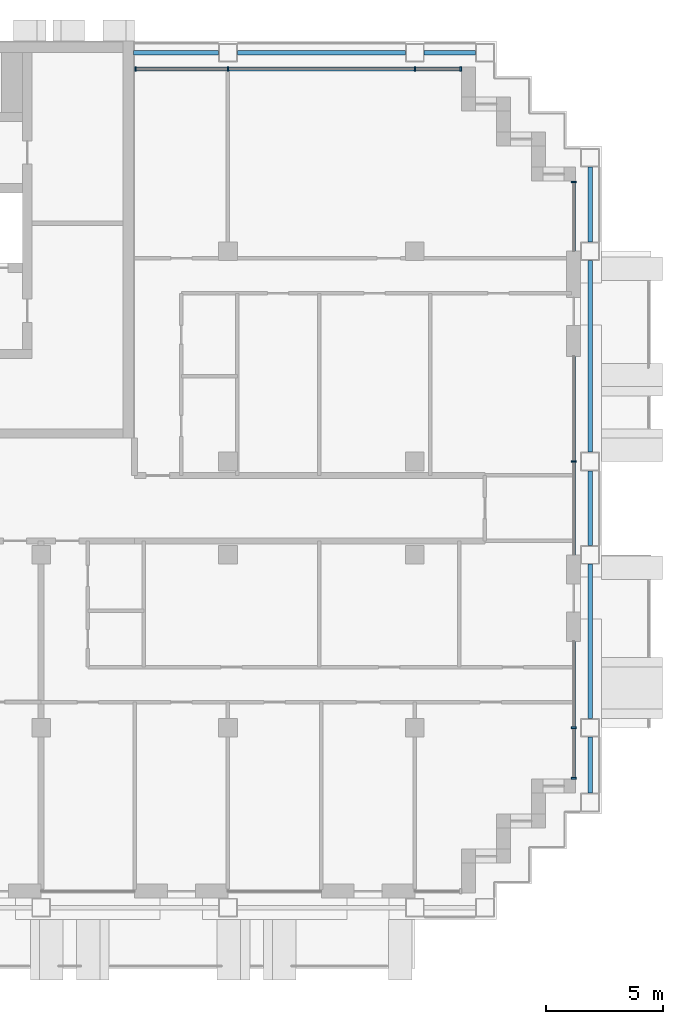
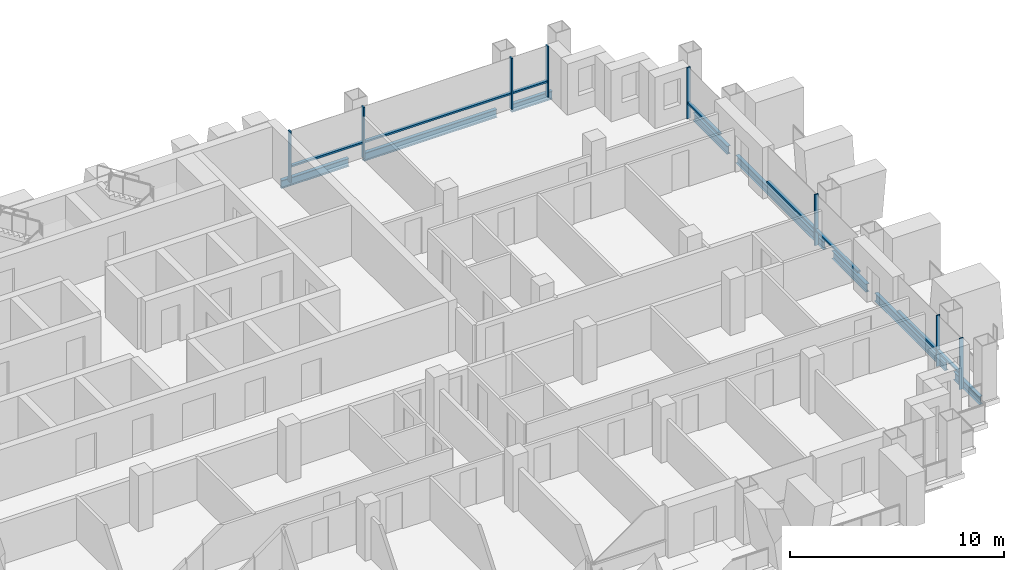
# One storey, part 5 of 18: 16 members, 8 beams, 4 elements without a shape of their own.
"""IFC4 building model written with IfcOpenShell, lengths in metres."""

from ifc_helpers import new_model, si_unit, direction, frame, origin, origin_2d, place, context, subcontext, project, spatial, rectangle, i_section, extrude, material, material_profile, profile_set, type_object, element, aggregate, save


model = new_model("IFC4")

# Units and contexts
model_context = context("Model", 3, precision=1e-05, world=origin(), true_north=direction((0.0, 1.0)))
body_context = subcontext(model_context, "Body", "Model", "MODEL_VIEW")
ifc_project = project(units=[si_unit("LENGTHUNIT", "METRE"), si_unit("AREAUNIT", "SQUARE_METRE"), si_unit("VOLUMEUNIT", "CUBIC_METRE"), si_unit("PLANEANGLEUNIT", "RADIAN"), si_unit("MASSUNIT", "GRAM", prefix="KILO")], contexts=[model_context])

# Site, building, storey
site_placement = place(None, origin())
site = spatial("IfcSite", under=ifc_project, at=site_placement, CompositionType="ELEMENT")
building_placement = place(site_placement, origin())
building = spatial("IfcBuilding", under=site, at=building_placement, Name="Vidyagriha Tower", CompositionType="ELEMENT")
storey_placement = place(building_placement, frame((0.0, 0.0, 142.199951171875)))
storey = spatial("IfcBuildingStorey", under=building, at=storey_placement, Name="L37", CompositionType="ELEMENT", Elevation=142.199951171875)

# Beams
ifc_material_1 = material(Name="Steel ASTM A992 Grade 50", Category="steel")
ifc_material_profile_1 = material_profile(ifc_material_1, i_section(OverallWidth=0.19189453125, OverallDepth=0.46240234375, WebThickness=0.010498046875, FlangeThickness=0.017578125, at=origin_2d()), Name="W18X60")
ifc_profile_set_1 = profile_set([ifc_material_profile_1], Name="Steel ASTM A992 Grade 50")
beam_type = type_object("IfcBeamType", Name="Edge beam W18X60", PredefinedType="SPANDREL", material=ifc_profile_set_1)
beam_1_placement = place(storey_placement, frame((33.5, -12.199951171875, -0.510986328125), z_axis=(0.0, 1.0, 0.0), x_axis=(-1.0, 0.0, 0.0)))
element("IfcBeam", 1, at=beam_1_placement, inside=storey, type_object=beam_type, Name="st-beam-L37-E14", PredefinedType="SPANDREL", context=body_context, shape_type="SweptSolid", body=[
    extrude(i_section(OverallWidth=0.19189453125, OverallDepth=0.46240234375, WebThickness=0.010498046875, FlangeThickness=0.017578125, at=origin_2d()), origin(), (0.0, 0.0, 1.0), 2.39990234375),
])
beam_2_placement = place(storey_placement, frame((33.5, -9.0, -0.510986328125), z_axis=(0.0, 1.0, 0.0), x_axis=(-1.0, 0.0, 0.0)))
element("IfcBeam", 2, at=beam_2_placement, inside=storey, type_object=beam_type, Name="st-beam-L37-E15", PredefinedType="SPANDREL", context=body_context, shape_type="SweptSolid", body=[
    extrude(i_section(OverallWidth=0.19189453125, OverallDepth=0.46240234375, WebThickness=0.010498046875, FlangeThickness=0.017578125, at=origin_2d()), origin(), (0.0, 0.0, 1.0), 6.60009765625),
])
beam_3_placement = place(storey_placement, frame((33.5, -1.60009765625, -0.510986328125), z_axis=(0.0, 1.0, 0.0), x_axis=(-1.0, 0.0, 0.0)))
element("IfcBeam", 3, at=beam_3_placement, inside=storey, type_object=beam_type, Name="st-beam-L37-E16", PredefinedType="SPANDREL", context=body_context, shape_type="SweptSolid", body=[
    extrude(i_section(OverallWidth=0.19189453125, OverallDepth=0.46240234375, WebThickness=0.010498046875, FlangeThickness=0.017578125, at=origin_2d()), origin(), (0.0, 0.0, 1.0), 3.2001953125),
])
beam_4_placement = place(storey_placement, frame((33.5, 2.39990234375, -0.510986328125), z_axis=(0.0, 1.0, 0.0), x_axis=(-1.0, 0.0, 0.0)))
element("IfcBeam", 4, at=beam_4_placement, inside=storey, type_object=beam_type, Name="st-beam-L37-E17", PredefinedType="SPANDREL", context=body_context, shape_type="SweptSolid", body=[
    extrude(i_section(OverallWidth=0.19189453125, OverallDepth=0.46240234375, WebThickness=0.010498046875, FlangeThickness=0.017578125, at=origin_2d()), origin(), (0.0, 0.0, 1.0), 8.2001953125),
])
beam_5_placement = place(storey_placement, frame((33.5, 11.39990234375, -0.510986328125), z_axis=(0.0, 1.0, 0.0), x_axis=(-1.0, 0.0, 0.0)))
element("IfcBeam", 5, at=beam_5_placement, inside=storey, type_object=beam_type, Name="st-beam-L37-E18", PredefinedType="SPANDREL", context=body_context, shape_type="SweptSolid", body=[
    extrude(i_section(OverallWidth=0.19189453125, OverallDepth=0.46240234375, WebThickness=0.010498046875, FlangeThickness=0.017578125, at=origin_2d()), origin(), (0.0, 0.0, 1.0), 3.2001953125),
])
beam_6_placement = place(storey_placement, frame((18.39990234375, 19.5, -0.510986328125), z_axis=(1.0, 0.0, 0.0), x_axis=(0.0, 1.0, 0.0)))
element("IfcBeam", 6, at=beam_6_placement, inside=storey, type_object=beam_type, Name="st-beam-L37-NE20", PredefinedType="SPANDREL", context=body_context, shape_type="SweptSolid", body=[
    extrude(i_section(OverallWidth=0.19189453125, OverallDepth=0.46240234375, WebThickness=0.010498046875, FlangeThickness=0.017578125, at=origin_2d()), origin(), (0.0, 0.0, 1.0), 7.2001953125),
])
beam_7_placement = place(storey_placement, frame((26.39990234375, 19.5, -0.510986328125), z_axis=(1.0, 0.0, 0.0), x_axis=(0.0, 1.0, 0.0)))
element("IfcBeam", 7, at=beam_7_placement, inside=storey, type_object=beam_type, Name="st-beam-L37-NE21", PredefinedType="SPANDREL", context=body_context, shape_type="SweptSolid", body=[
    extrude(i_section(OverallWidth=0.19189453125, OverallDepth=0.46240234375, WebThickness=0.010498046875, FlangeThickness=0.017578125, at=origin_2d()), origin(), (0.0, 0.0, 1.0), 2.2001953125),
])
beam_8_placement = place(storey_placement, frame((13.949951171875, 19.5, -0.510986328125), z_axis=(1.0, 0.0, 0.0), x_axis=(0.0, 1.0, 0.0)))
element("IfcBeam", 8, at=beam_8_placement, inside=storey, type_object=beam_type, Name="st-beam-L37-NC23", PredefinedType="SPANDREL", context=body_context, shape_type="SweptSolid", body=[
    extrude(i_section(OverallWidth=0.19189453125, OverallDepth=0.46240234375, WebThickness=0.010498046875, FlangeThickness=0.017578125, at=origin_2d()), origin(), (0.0, 0.0, 1.0), 3.650146484375),
])

# Curtain wall, members
ifc_material_2 = material(Name="Aluminium and glass curtain wall", Category="aluminium")
curtain_wall_type = type_object("IfcCurtainWallType", Name="Dwelling skin unitised curtain wall", PredefinedType="USERDEFINED", material=ifc_material_2)
curtain_wall_1_placement = place(storey_placement, origin())
curtain_wall_1 = element("IfcCurtainWall", 9, at=curtain_wall_1_placement, inside=storey, type_object=curtain_wall_type, Name="CW1 dwelling skin", ObjectType="UNITISED", PredefinedType="USERDEFINED")
ifc_material_3 = material(Name="Aluminium black anodised", Category="aluminium")
ifc_material_profile_2 = material_profile(ifc_material_3, rectangle(XDim=0.199951171875, YDim=0.070068359375, at=origin_2d()), Name="Mullion 70x200 black aluminium")
ifc_profile_set_2 = profile_set([ifc_material_profile_2], Name="Aluminium black anodised")
member_type_1 = type_object("IfcMemberType", Name="Mullion 70x200 black aluminium", PredefinedType="MULLION", material=ifc_profile_set_2)
member_1_placement = place(storey_placement, frame((27.965087890625, 18.800048828125, 0.0), z_axis=(0.0, 0.0, 1.0), x_axis=(0.0, -1.0, 0.0)))
member_1 = element("IfcMember", 10, at=member_1_placement, type_object=member_type_1, Name="CW1 mullion 1", PredefinedType="MULLION", context=body_context, shape_type="SweptSolid", body=[
    extrude(rectangle(XDim=0.199951171875, YDim=0.070068359375, at=origin_2d()), origin(), (0.0, 0.0, 1.0), 2.920166015625),
])
member_2_placement = place(storey_placement, frame((26.0, 18.800048828125, 0.0), z_axis=(0.0, 0.0, 1.0), x_axis=(0.0, -1.0, 0.0)))
member_2 = element("IfcMember", 11, at=member_2_placement, type_object=member_type_1, Name="CW1 mullion 2", PredefinedType="MULLION", context=body_context, shape_type="SweptSolid", body=[
    extrude(rectangle(XDim=0.199951171875, YDim=0.070068359375, at=origin_2d()), origin(), (0.0, 0.0, 1.0), 2.920166015625),
])
member_3_placement = place(storey_placement, frame((18.0, 18.800048828125, 0.0), z_axis=(0.0, 0.0, 1.0), x_axis=(0.0, -1.0, 0.0)))
member_3 = element("IfcMember", 12, at=member_3_placement, type_object=member_type_1, Name="CW1 mullion 3", PredefinedType="MULLION", context=body_context, shape_type="SweptSolid", body=[
    extrude(rectangle(XDim=0.199951171875, YDim=0.070068359375, at=origin_2d()), origin(), (0.0, 0.0, 1.0), 2.920166015625),
])
member_4_placement = place(storey_placement, frame((14.034912109375, 18.800048828125, 0.0), z_axis=(0.0, 0.0, 1.0), x_axis=(0.0, -1.0, 0.0)))
member_4 = element("IfcMember", 13, at=member_4_placement, type_object=member_type_1, Name="CW1 mullion 4", PredefinedType="MULLION", context=body_context, shape_type="SweptSolid", body=[
    extrude(rectangle(XDim=0.199951171875, YDim=0.070068359375, at=origin_2d()), origin(), (0.0, 0.0, 1.0), 2.920166015625),
])

curtain_wall_2_placement = place(storey_placement, origin())
curtain_wall_2 = element("IfcCurtainWall", 14, at=curtain_wall_2_placement, inside=storey, type_object=curtain_wall_type, Name="CW1 dwelling skin", ObjectType="UNITISED", PredefinedType="USERDEFINED")
member_5_placement = place(storey_placement, frame((32.800048828125, -11.56494140625, 0.0), z_axis=(0.0, 0.0, 1.0), x_axis=(-1.0, 0.0, 0.0)))
member_5 = element("IfcMember", 15, at=member_5_placement, type_object=member_type_1, Name="CW1 mullion 1", PredefinedType="MULLION", context=body_context, shape_type="SweptSolid", body=[
    extrude(rectangle(XDim=0.199951171875, YDim=0.070068359375, at=origin_2d()), origin(), (0.0, 0.0, 1.0), 2.920166015625),
])
member_6_placement = place(storey_placement, frame((32.800048828125, -9.39990234375, 0.0), z_axis=(0.0, 0.0, 1.0), x_axis=(-1.0, 0.0, 0.0)))
member_6 = element("IfcMember", 16, at=member_6_placement, type_object=member_type_1, Name="CW1 mullion 2", PredefinedType="MULLION", context=body_context, shape_type="SweptSolid", body=[
    extrude(rectangle(XDim=0.199951171875, YDim=0.070068359375, at=origin_2d()), origin(), (0.0, 0.0, 1.0), 2.920166015625),
])

# Curtain wall, member
curtain_wall_3_placement = place(storey_placement, origin())
curtain_wall_3 = element("IfcCurtainWall", 17, at=curtain_wall_3_placement, inside=storey, type_object=curtain_wall_type, Name="CW1 dwelling skin", ObjectType="UNITISED", PredefinedType="USERDEFINED")
member_7_placement = place(storey_placement, frame((32.800048828125, 2.0, 0.0), z_axis=(0.0, 0.0, 1.0), x_axis=(-1.0, 0.0, 0.0)))
member_7 = element("IfcMember", 18, at=member_7_placement, type_object=member_type_1, Name="CW1 mullion 2", PredefinedType="MULLION", context=body_context, shape_type="SweptSolid", body=[
    extrude(rectangle(XDim=0.199951171875, YDim=0.070068359375, at=origin_2d()), origin(), (0.0, 0.0, 1.0), 2.920166015625),
])

curtain_wall_4_placement = place(storey_placement, origin())
curtain_wall_4 = element("IfcCurtainWall", 19, at=curtain_wall_4_placement, inside=storey, type_object=curtain_wall_type, Name="CW1 dwelling skin", ObjectType="UNITISED", PredefinedType="USERDEFINED")
member_8_placement = place(storey_placement, frame((32.800048828125, 13.965087890625, 0.0), z_axis=(0.0, 0.0, 1.0), x_axis=(-1.0, 0.0, 0.0)))
member_8 = element("IfcMember", 20, at=member_8_placement, type_object=member_type_1, Name="CW1 mullion 2", PredefinedType="MULLION", context=body_context, shape_type="SweptSolid", body=[
    extrude(rectangle(XDim=0.199951171875, YDim=0.070068359375, at=origin_2d()), origin(), (0.0, 0.0, 1.0), 2.920166015625),
])

# Member
ifc_material_4 = material(Name="Aluminium black anodised", Category="aluminium")
ifc_material_profile_3 = material_profile(ifc_material_4, rectangle(XDim=0.159912109375, YDim=0.10009765625, at=origin_2d()), Name="Transom 100x160 black aluminium")
ifc_profile_set_3 = profile_set([ifc_material_profile_3], Name="Aluminium black anodised")
member_type_2 = type_object("IfcMemberType", Name="Transom 100x160 black aluminium", PredefinedType="USERDEFINED", material=ifc_profile_set_3)
member_9_placement = place(storey_placement, frame((27.929931640625, 18.800048828125, 0.900146484375), z_axis=(-1.0, 0.0, 0.0), x_axis=(0.0, -1.0, 0.0)))
member_9 = element("IfcMember", 21, at=member_9_placement, type_object=member_type_2, Name="CW1 transom 1.1", ObjectType="TRANSOM", PredefinedType="USERDEFINED", context=body_context, shape_type="SweptSolid", body=[
    extrude(rectangle(XDim=0.159912109375, YDim=0.10009765625, at=origin_2d()), origin(), (0.0, 0.0, 1.0), 1.89501953125),
])

member_10_placement = place(storey_placement, frame((25.965087890625, 18.800048828125, 0.900146484375), z_axis=(-1.0, 0.0, 0.0), x_axis=(0.0, -1.0, 0.0)))
member_10 = element("IfcMember", 22, at=member_10_placement, type_object=member_type_2, Name="CW1 transom 2.1", ObjectType="TRANSOM", PredefinedType="USERDEFINED", context=body_context, shape_type="SweptSolid", body=[
    extrude(rectangle(XDim=0.159912109375, YDim=0.10009765625, at=origin_2d()), origin(), (0.0, 0.0, 1.0), 7.93017578125),
])

member_11_placement = place(storey_placement, frame((17.965087890625, 18.800048828125, 0.900146484375), z_axis=(-1.0, 0.0, 0.0), x_axis=(0.0, -1.0, 0.0)))
member_11 = element("IfcMember", 23, at=member_11_placement, type_object=member_type_2, Name="CW1 transom 3.1", ObjectType="TRANSOM", PredefinedType="USERDEFINED", context=body_context, shape_type="SweptSolid", body=[
    extrude(rectangle(XDim=0.159912109375, YDim=0.10009765625, at=origin_2d()), origin(), (0.0, 0.0, 1.0), 3.89501953125),
])

aggregate(curtain_wall_1, [member_1, member_2, member_3, member_4, member_9, member_10, member_11])

member_12_placement = place(storey_placement, frame((32.800048828125, -11.530029296875, 0.900146484375), z_axis=(0.0, 1.0, 0.0), x_axis=(-1.0, 0.0, 0.0)))
member_12 = element("IfcMember", 24, at=member_12_placement, type_object=member_type_2, Name="CW1 transom 1.1", ObjectType="TRANSOM", PredefinedType="USERDEFINED", context=body_context, shape_type="SweptSolid", body=[
    extrude(rectangle(XDim=0.159912109375, YDim=0.10009765625, at=origin_2d()), origin(), (0.0, 0.0, 1.0), 2.094970703125),
])

member_13_placement = place(storey_placement, frame((32.800048828125, -9.364990234375, 0.900146484375), z_axis=(0.0, 1.0, 0.0), x_axis=(-1.0, 0.0, 0.0)))
member_13 = element("IfcMember", 25, at=member_13_placement, type_object=member_type_2, Name="CW1 transom 2.1", ObjectType="TRANSOM", PredefinedType="USERDEFINED", context=body_context, shape_type="SweptSolid", body=[
    extrude(rectangle(XDim=0.159912109375, YDim=0.10009765625, at=origin_2d()), origin(), (0.0, 0.0, 1.0), 3.6650390625),
])

aggregate(curtain_wall_2, [member_5, member_6, member_12, member_13])

member_14_placement = place(storey_placement, frame((32.800048828125, -2.0, 0.900146484375), z_axis=(0.0, 1.0, 0.0), x_axis=(-1.0, 0.0, 0.0)))
member_14 = element("IfcMember", 26, at=member_14_placement, type_object=member_type_2, Name="CW1 transom 1.1", ObjectType="TRANSOM", PredefinedType="USERDEFINED", context=body_context, shape_type="SweptSolid", body=[
    extrude(rectangle(XDim=0.159912109375, YDim=0.10009765625, at=origin_2d()), origin(), (0.0, 0.0, 1.0), 3.965087890625),
])

member_15_placement = place(storey_placement, frame((32.800048828125, 2.034912109375, 0.900146484375), z_axis=(0.0, 1.0, 0.0), x_axis=(-1.0, 0.0, 0.0)))
member_15 = element("IfcMember", 27, at=member_15_placement, type_object=member_type_2, Name="CW1 transom 2.1", ObjectType="TRANSOM", PredefinedType="USERDEFINED", context=body_context, shape_type="SweptSolid", body=[
    extrude(rectangle(XDim=0.159912109375, YDim=0.10009765625, at=origin_2d()), origin(), (0.0, 0.0, 1.0), 4.465087890625),
])

aggregate(curtain_wall_3, [member_7, member_14, member_15])

member_16_placement = place(storey_placement, frame((32.800048828125, 11.0, 0.900146484375), z_axis=(0.0, 1.0, 0.0), x_axis=(-1.0, 0.0, 0.0)))
member_16 = element("IfcMember", 28, at=member_16_placement, type_object=member_type_2, Name="CW1 transom 1.1", ObjectType="TRANSOM", PredefinedType="USERDEFINED", context=body_context, shape_type="SweptSolid", body=[
    extrude(rectangle(XDim=0.159912109375, YDim=0.10009765625, at=origin_2d()), origin(), (0.0, 0.0, 1.0), 2.929931640625),
])

aggregate(curtain_wall_4, [member_8, member_16])

save(model, "model.ifc")
